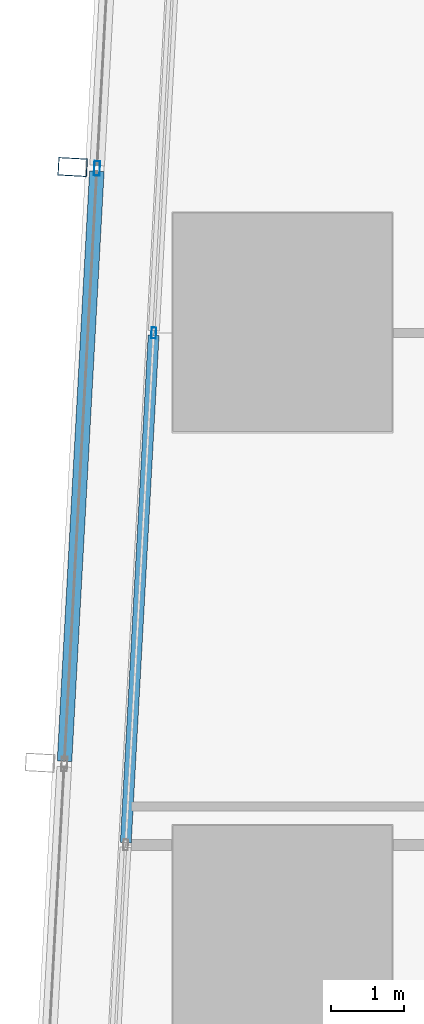
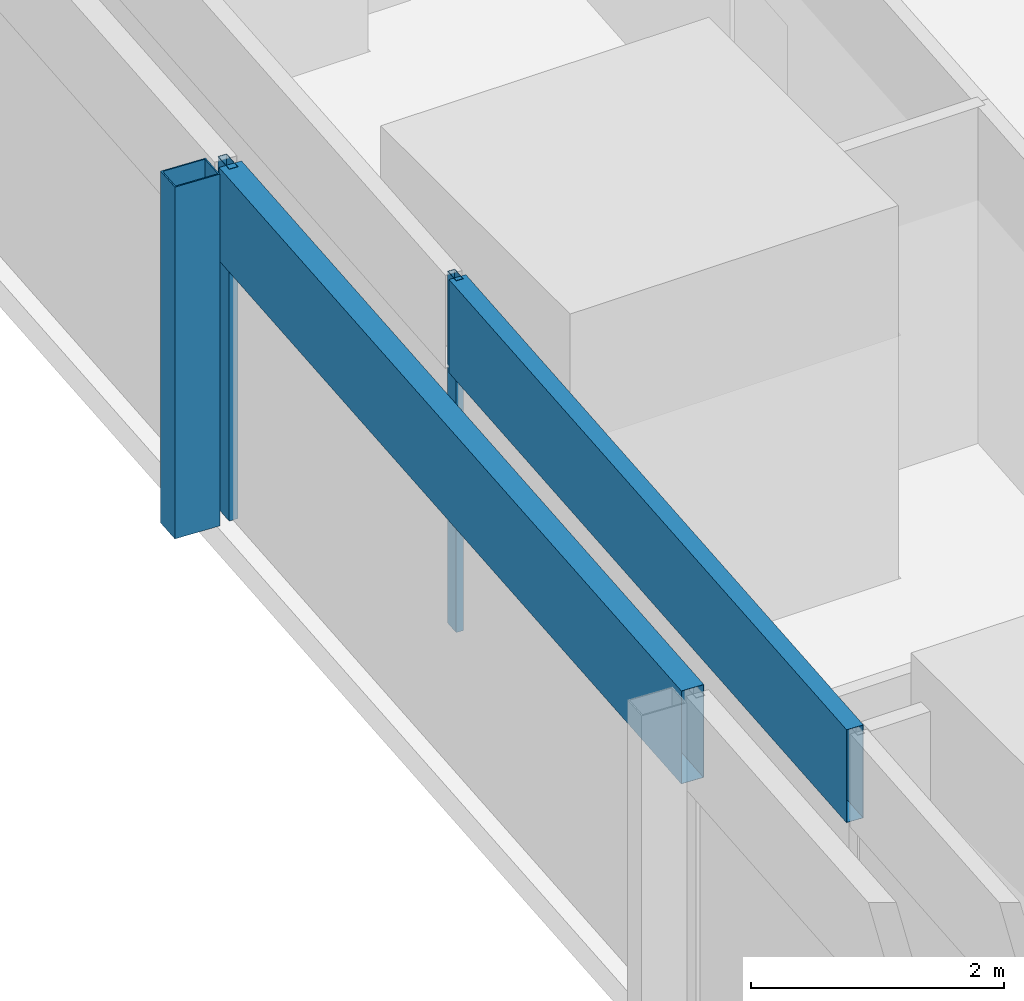
# One storey, part 7 of 38: 5 members, 2 elements without a shape of their own.
"""IFC4 building model written with IfcOpenShell, lengths in metres."""

from ifc_helpers import new_model, si_unit, direction, frame, origin, origin_2d, place, context, subcontext, project, spatial, hollow_rectangle, extrude, material, material_profile, profile_set, type_object, element, aggregate, save


model = new_model("IFC4")

# Units and contexts
model_context = context("Model", 3, precision=1e-05, world=origin(), true_north=direction((0.0, 1.0)))
body_context = subcontext(model_context, "Body", "Model", "MODEL_VIEW")
ifc_project = project(units=[si_unit("LENGTHUNIT", "METRE"), si_unit("AREAUNIT", "SQUARE_METRE"), si_unit("VOLUMEUNIT", "CUBIC_METRE"), si_unit("PLANEANGLEUNIT", "RADIAN"), si_unit("MASSUNIT", "GRAM", prefix="KILO")], contexts=[model_context])

# Site, building, storey
site_placement = place(None, origin())
site = spatial("IfcSite", under=ifc_project, at=site_placement, CompositionType="ELEMENT")
building_placement = place(site_placement, origin())
building = spatial("IfcBuilding", under=site, at=building_placement, Name="Rekha Terrace Tower", CompositionType="ELEMENT")
storey_placement = place(building_placement, frame((0.0, 0.0, 159.050048828125)))
storey = spatial("IfcBuildingStorey", under=building, at=storey_placement, Name="L40", CompositionType="ELEMENT", Elevation=159.050048828125)

# Curtain wall, member
ifc_material_1 = material(Name="Aluminium framing", Category="aluminium")
curtain_wall_type_1 = type_object("IfcCurtainWallType", Name="CW2 double skin outer glazing", PredefinedType="USERDEFINED", material=ifc_material_1)
curtain_wall_1_placement = place(storey_placement, origin())
curtain_wall_1 = element("IfcCurtainWall", 1, at=curtain_wall_1_placement, inside=storey, type_object=curtain_wall_type_1, Name="CW2 double skin outer glazing", ObjectType="DOUBLE SKIN OUTER GLAZING", PredefinedType="USERDEFINED")
ifc_material_2 = material(Name="Steel S355 with fluorocarbon finish", Category="steel")
ifc_material_profile_1 = material_profile(ifc_material_2, hollow_rectangle(XDim=0.25, YDim=0.39990234375, WallThickness=0.012451171875, at=origin_2d()), Name="RHS400x250x12.5")
ifc_profile_set_1 = profile_set([ifc_material_profile_1], Name="Steel S355 with fluorocarbon finish")
member_type_1 = type_object("IfcMemberType", Name="BL1 facade blade RHS 400 x 250", PredefinedType="USERDEFINED", material=ifc_profile_set_1)
member_1_placement = place(storey_placement, frame((5.521728515625, 44.128662109375, 0.0), z_axis=(0.0, 0.0, 1.0), x_axis=(-0.054742798353, -0.998500488747, 0.0)))
member_1 = element("IfcMember", 2, at=member_1_placement, type_object=member_type_1, Name="Facade blade", ObjectType="FACADE BLADE", PredefinedType="USERDEFINED", context=body_context, shape_type="SweptSolid", body=[
    extrude(hollow_rectangle(XDim=0.25, YDim=0.39990234375, WallThickness=0.012451171875, at=origin_2d()), origin(), (0.0, 0.0, 1.0), 3.39990234375),
])

# Curtain wall, members
curtain_wall_type_2 = type_object("IfcCurtainWallType", Name="CW1 double skin inner glazing", PredefinedType="USERDEFINED", material=ifc_material_1)
curtain_wall_2_placement = place(storey_placement, origin())
curtain_wall_2 = element("IfcCurtainWall", 3, at=curtain_wall_2_placement, inside=storey, type_object=curtain_wall_type_2, Name="CW1 double skin inner glazing", ObjectType="DOUBLE SKIN INNER GLAZING", PredefinedType="USERDEFINED")
ifc_material_3 = material(Name="Aluminium mullion section", Category="aluminium")
ifc_material_profile_2 = material_profile(ifc_material_3, hollow_rectangle(XDim=0.06494140625, YDim=0.14990234375, WallThickness=0.00390625, at=origin_2d()), Name="AL RHS 65x150")
ifc_profile_set_2 = profile_set([ifc_material_profile_2], Name="Aluminium mullion section")
member_type_2 = type_object("IfcMemberType", Name="CW1 mullion RHS 65 x 150", PredefinedType="MULLION", material=ifc_profile_set_2)
member_2_placement = place(storey_placement, frame((6.6337890625, 41.854248046875, 0.0), z_axis=(0.0, 0.0, 1.0), x_axis=(0.998500513181, -0.05474235269, 0.0)))
member_2 = element("IfcMember", 4, at=member_2_placement, type_object=member_type_2, Name="CW1 mullion 2", PredefinedType="MULLION", context=body_context, shape_type="SweptSolid", body=[
    extrude(hollow_rectangle(XDim=0.06494140625, YDim=0.14990234375, WallThickness=0.00390625, at=origin_2d()), origin(), (0.0, 0.0, 1.0), 3.39990234375),
])
ifc_material_4 = material(Name="Insulated aluminium spandrel box", Category="aluminium")
ifc_material_profile_3 = material_profile(ifc_material_4, hollow_rectangle(XDim=0.14990234375, YDim=0.89990234375, WallThickness=0.0029296875, at=origin_2d()), Name="AL SPANDREL BOX 150x900")
ifc_profile_set_3 = profile_set([ifc_material_profile_3], Name="Insulated aluminium spandrel box")
member_type_3 = type_object("IfcMemberType", Name="CW1 spandrel transom 150 x 900", PredefinedType="USERDEFINED", material=ifc_profile_set_3)
member_3_placement = place(storey_placement, frame((6.632080078125, 41.822021484375, 2.949951171875), z_axis=(-0.05474212282, -0.998500525783, 0.0), x_axis=(0.998500525783, -0.05474212282, 0.0)))
member_3 = element("IfcMember", 5, at=member_3_placement, type_object=member_type_3, Name="CW1 spandrel transom 2", ObjectType="TRANSOM", PredefinedType="USERDEFINED", context=body_context, shape_type="SweptSolid", body=[
    extrude(hollow_rectangle(XDim=0.14990234375, YDim=0.89990234375, WallThickness=0.0029296875, at=origin_2d()), origin(), (0.0, 0.0, 1.0), 6.96630859375),
])
aggregate(curtain_wall_2, [member_2, member_3])

# Member
ifc_material_profile_4 = material_profile(ifc_material_3, hollow_rectangle(XDim=0.080078125, YDim=0.199951171875, WallThickness=0.00390625, at=origin_2d()), Name="AL RHS 80x200")
ifc_profile_set_4 = profile_set([ifc_material_profile_4], Name="Aluminium mullion section")
member_type_4 = type_object("IfcMemberType", Name="CW2 mullion RHS 80 x 200", PredefinedType="MULLION", material=ifc_profile_set_4)
member_4_placement = place(storey_placement, frame((5.856201171875, 44.1103515625, 0.0), z_axis=(0.0, 0.0, 1.0), x_axis=(0.99850051318, -0.054742352707, 0.0)))
member_4 = element("IfcMember", 6, at=member_4_placement, type_object=member_type_4, Name="CW2 mullion 3", PredefinedType="MULLION", context=body_context, shape_type="SweptSolid", body=[
    extrude(hollow_rectangle(XDim=0.080078125, YDim=0.199951171875, WallThickness=0.00390625, at=origin_2d()), origin(), (0.0, 0.0, 1.0), 3.39990234375),
])

ifc_material_profile_5 = material_profile(ifc_material_4, hollow_rectangle(XDim=0.199951171875, YDim=0.89990234375, WallThickness=0.0029296875, at=origin_2d()), Name="AL SPANDREL BOX 200x900")
ifc_profile_set_5 = profile_set([ifc_material_profile_5], Name="Insulated aluminium spandrel box")
member_type_5 = type_object("IfcMemberType", Name="CW2 spandrel transom 200 x 900", PredefinedType="USERDEFINED", material=ifc_profile_set_5)
member_5_placement = place(storey_placement, frame((5.85400390625, 44.070556640625, 2.949951171875), z_axis=(-0.054735499102, -0.998500888902, 0.0), x_axis=(0.998500888902, -0.054735499102, 0.0)))
member_5 = element("IfcMember", 7, at=member_5_placement, type_object=member_type_5, Name="CW2 spandrel transom 3", ObjectType="TRANSOM", PredefinedType="USERDEFINED", context=body_context, shape_type="SweptSolid", body=[
    extrude(hollow_rectangle(XDim=0.199951171875, YDim=0.89990234375, WallThickness=0.0029296875, at=origin_2d()), origin(), (0.0, 0.0, 1.0), 8.10009765625),
])

aggregate(curtain_wall_1, [member_4, member_5, member_1])

save(model, "model.ifc")
